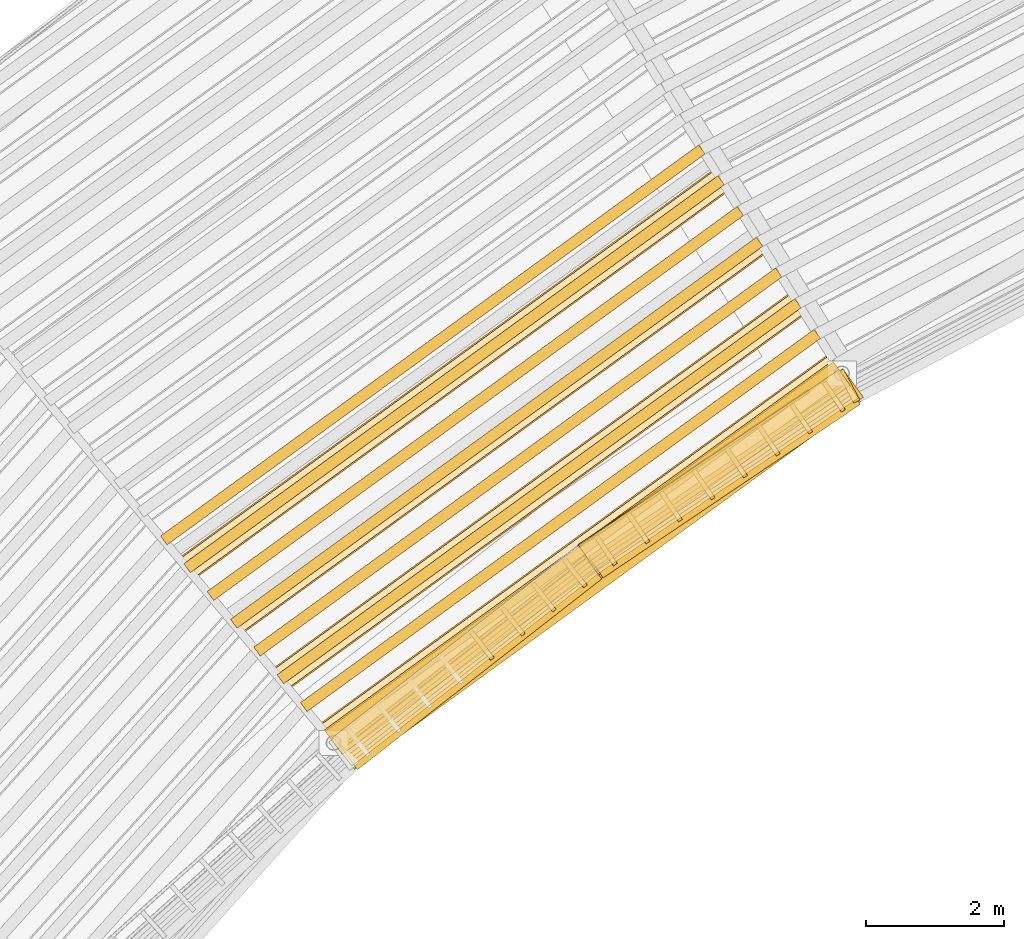
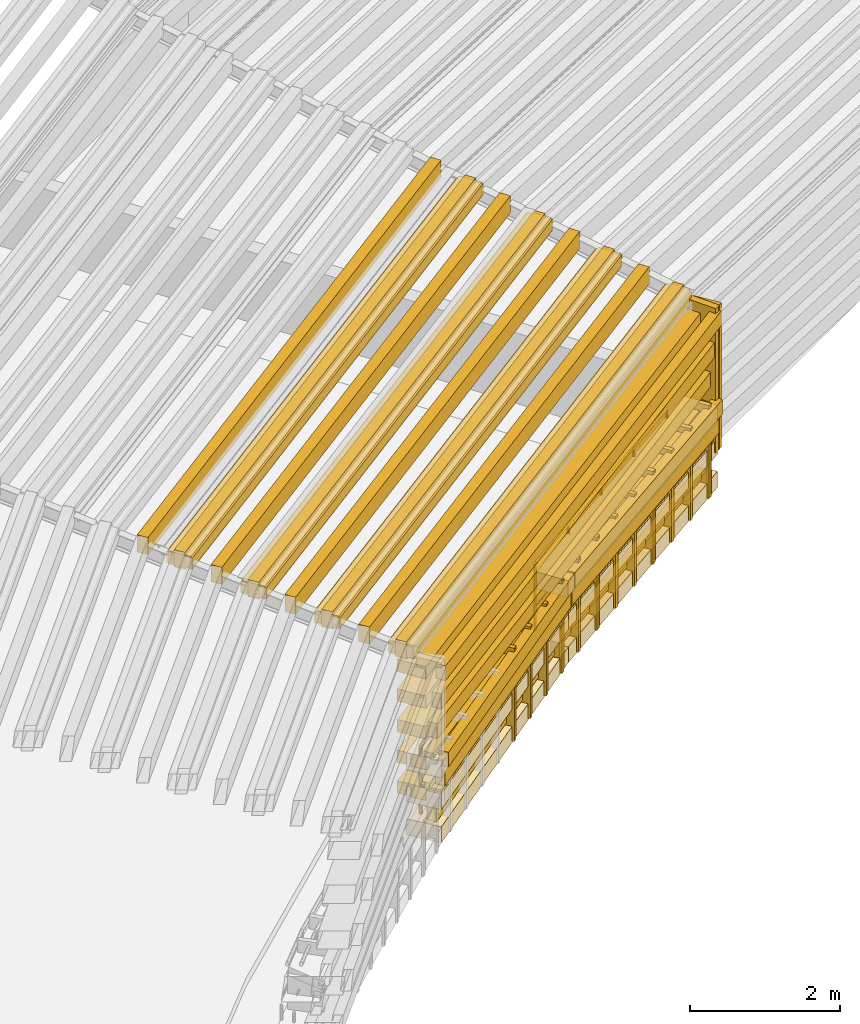
# One storey, part 65 of 74: 44 shading devices, 18 coverings, 2 railings.
"""IFC4 building model written with IfcOpenShell, lengths in metres."""

from ifc_helpers import new_model, si_unit, direction, frame, frame_2d, origin, origin_2d, place, context, subcontext, project, spatial, rectangle, circle, extrude, material, layer, layer_set, type_object, element, save


model = new_model("IFC4")

# Units and contexts
model_context = context("Model", 3, precision=1e-05, world=origin(), true_north=direction((0.0, 1.0)))
body_context = subcontext(model_context, "Body", "Model", "MODEL_VIEW")
ifc_project = project(units=[si_unit("LENGTHUNIT", "METRE"), si_unit("AREAUNIT", "SQUARE_METRE"), si_unit("VOLUMEUNIT", "CUBIC_METRE"), si_unit("PLANEANGLEUNIT", "RADIAN"), si_unit("MASSUNIT", "GRAM", prefix="KILO")], contexts=[model_context])

# Site, building, storey
site_placement = place(None, origin())
site = spatial("IfcSite", under=ifc_project, at=site_placement, CompositionType="ELEMENT")
building_placement = place(site_placement, origin())
building = spatial("IfcBuilding", under=site, at=building_placement, Name="Clarverna Civic Hall", CompositionType="ELEMENT")
storey_placement = place(building_placement, frame((0.0, 0.0, 13.199951171875)))
storey = spatial("IfcBuildingStorey", under=building, at=storey_placement, Name="L03", CompositionType="ELEMENT", Elevation=13.199951171875)

# Coverings
ifc_material_1 = material(Name="Thermally Modified Teak Wood Slat Fascia Cladding", Category="wood")
ifc_layer_1 = layer(ifc_material_1, 0.080078125)
ifc_layer_set_1 = layer_set([ifc_layer_1], Name="Thermally Modified Teak Wood Slat Fascia Cladding")
covering_type = type_object("IfcCoveringType", Name="CV-CL1", PredefinedType="CLADDING", material=ifc_layer_set_1)
for number, where, z_axis, x_axis, name in (
    (1, (117.550048828125, 63.1435546875, -0.3798828125), (0.0, 0.0, 1.0), (-0.82903395699, -0.559198263729, 0.0), "CV-CL1-147"),
    (2, (117.550048828125, 63.1435546875, 0.16015625), (0.0, 0.0, 1.0), (-0.82903395699, -0.559198263729, 0.0), "CV-CL1-148"),
):
    element("IfcCovering", number, at=place(storey_placement, frame(where, z_axis=z_axis, x_axis=x_axis)), inside=storey, type_object=covering_type, Name=name, PredefinedType="CLADDING", context=body_context, shape_type="SweptSolid", body=[
        extrude(rectangle(XDim=4.551025390625, YDim=0.5, at=frame_2d((2.275390625, 0.0))), origin(), (0.0, 0.0, 1.0), 0.260009765625),
    ])
covering_1_placement = place(storey_placement, frame((117.550048828125, 63.1435546875, 0.679931640625), z_axis=(0.0, 0.0, 1.0), x_axis=(-0.82903395699, -0.559198263729, 0.0)))
element("IfcCovering", 3, at=covering_1_placement, inside=storey, type_object=covering_type, Name="CV-CL1-149", PredefinedType="CLADDING", context=body_context, shape_type="SweptSolid", body=[
    extrude(rectangle(XDim=4.551025390625, YDim=0.5, at=frame_2d((2.275390625, 0.0))), origin(), (0.0, 0.0, 1.0), 0.280029296875),
])
covering_2_placement = place(storey_placement, frame((117.191162109375, 63.166748046875, -0.35986328125), z_axis=(0.0, 0.0, 1.0), x_axis=(0.5590870299, -0.829108975345, 0.0)))
element("IfcCovering", 4, at=covering_2_placement, inside=storey, type_object=covering_type, Name="CV-CL1-150", PredefinedType="CLADDING", context=body_context, shape_type="SweptSolid", body=[
    extrude(rectangle(XDim=0.5, YDim=0.070068359375, at=frame_2d((0.25, 0.0))), origin(), (0.0, 0.0, 1.0), 1.52001953125),
])
covering_3_placement = place(storey_placement, frame((115.7763671875, 62.21240234375, -0.35986328125), z_axis=(0.0, 0.0, 1.0), x_axis=(0.559313442615, -0.828956255125, 0.0)))
element("IfcCovering", 5, at=covering_3_placement, inside=storey, type_object=covering_type, Name="CV-CL1-151", PredefinedType="CLADDING", context=body_context, shape_type="SweptSolid", body=[
    extrude(rectangle(XDim=0.499755859375, YDim=0.070068359375, at=frame_2d((0.25, 0.0))), origin(), (0.0, 0.0, 1.0), 1.52001953125),
])
for number, where, z_axis, x_axis, name in (
    (6, (114.361572265625, 61.25830078125, -0.35986328125), (0.0, 0.0, 1.0), (0.5590870299, -0.829108975345, 0.0), "CV-CL1-152"),
    (7, (113.889892578125, 60.940185546875, -0.35986328125), (0.0, 0.0, 1.0), (0.5590870299, -0.829108975345, 0.0), "CV-CL1-153"),
):
    element("IfcCovering", number, at=place(storey_placement, frame(where, z_axis=z_axis, x_axis=x_axis)), inside=storey, type_object=covering_type, Name=name, PredefinedType="CLADDING", context=body_context, shape_type="SweptSolid", body=[
        extrude(rectangle(XDim=0.5, YDim=0.070068359375, at=frame_2d((0.25, 0.0))), origin(), (0.0, 0.0, 1.0), 1.52001953125),
    ])
for number, where, z_axis, x_axis, name in (
    (8, (113.787109375, 60.606201171875, -0.3798828125), (0.0, 0.0, 1.0), (-0.787992654087, -0.615684640953, 0.0), "CV-CL1-154"),
    (9, (113.787109375, 60.606201171875, 0.16015625), (0.0, 0.0, 1.0), (-0.787992654087, -0.615684640953, 0.0), "CV-CL1-155"),
):
    element("IfcCovering", number, at=place(storey_placement, frame(where, z_axis=z_axis, x_axis=x_axis)), inside=storey, type_object=covering_type, Name=name, PredefinedType="CLADDING", context=body_context, shape_type="SweptSolid", body=[
        extrude(rectangle(XDim=4.551025390625, YDim=0.5, at=frame_2d((2.275390625, 0.0))), origin(), (0.0, 0.0, 1.0), 0.260009765625),
    ])
covering_4_placement = place(storey_placement, frame((113.787109375, 60.606201171875, 0.679931640625), z_axis=(0.0, 0.0, 1.0), x_axis=(-0.787992654087, -0.615684640953, 0.0)))
element("IfcCovering", 10, at=covering_4_placement, inside=storey, type_object=covering_type, Name="CV-CL1-156", PredefinedType="CLADDING", context=body_context, shape_type="SweptSolid", body=[
    extrude(rectangle(XDim=4.551025390625, YDim=0.5, at=frame_2d((2.275390625, 0.0))), origin(), (0.0, 0.0, 1.0), 0.280029296875),
])
for number, where, z_axis, x_axis, name in (
    (11, (113.427490234375, 60.604248046875, -0.35986328125), (0.0, 0.0, 1.0), (0.615662990837, -0.788009569557, 0.0), "CV-CL1-157"),
    (12, (112.082763671875, 59.5537109375, -0.35986328125), (0.0, 0.0, 1.0), (0.615662990837, -0.788009569557, 0.0), "CV-CL1-158"),
):
    element("IfcCovering", number, at=place(storey_placement, frame(where, z_axis=z_axis, x_axis=x_axis)), inside=storey, type_object=covering_type, Name=name, PredefinedType="CLADDING", context=body_context, shape_type="SweptSolid", body=[
        extrude(rectangle(XDim=0.5, YDim=0.070068359375, at=frame_2d((0.25, 0.0))), origin(), (0.0, 0.0, 1.0), 1.52001953125),
    ])
covering_5_placement = place(storey_placement, frame((117.42578125, 63.3369140625, 0.25), z_axis=(0.0, 0.0, 1.0), x_axis=(0.469470107222, -0.882948366794, 0.0)))
element("IfcCovering", 13, at=covering_5_placement, inside=storey, type_object=covering_type, Name="CV-CL1-194", PredefinedType="CLADDING", context=body_context, shape_type="SweptSolid", body=[
    extrude(rectangle(XDim=0.51025390625, YDim=0.10009765625, at=frame_2d((0.255126953125, 0.0))), origin(), (0.0, 0.0, 1.0), 2.35009765625),
])
covering_6_placement = place(storey_placement, frame((117.419921875, 63.333251953125, 0.25), z_axis=(0.0, 0.0, 1.0), x_axis=(0.58783009415, -0.808984412959, 0.0)))
element("IfcCovering", 14, at=covering_6_placement, inside=storey, type_object=covering_type, Name="CV-CL1-195", PredefinedType="CLADDING", context=body_context, shape_type="SweptSolid", body=[
    extrude(rectangle(XDim=0.510009765625, YDim=0.10009765625, at=frame_2d((0.2548828125, 0.0))), origin(), (0.0, 0.0, 1.0), 2.35009765625),
])
covering_7_placement = place(storey_placement, frame((117.369873046875, 63.419921875, 2.510009765625), z_axis=(0.0, 0.0, 1.0), x_axis=(-0.809020850854, -0.587779944268, 0.0)))
element("IfcCovering", 15, at=covering_7_placement, inside=storey, type_object=covering_type, Name="CV-CL1-202", PredefinedType="CLADDING", context=body_context, shape_type="SweptSolid", body=[
    extrude(rectangle(XDim=9.1171875, YDim=0.340087890625, at=frame_2d((4.55859375, 0.0))), origin(), (0.0, 0.0, 1.0), 0.219970703125),
])
covering_8_placement = place(storey_placement, frame((116.8134765625, 64.310302734375, 2.7451171875), z_axis=(0.0, 0.0, 1.0), x_axis=(-0.809034570977, -0.587761059415, 0.0)))
element("IfcCovering", 16, at=covering_8_placement, inside=storey, type_object=covering_type, Name="CV-CL1-207", PredefinedType="CLADDING", context=body_context, shape_type="SweptSolid", body=[
    extrude(rectangle(XDim=9.263671875, YDim=0.340087890625, at=frame_2d((4.6318359375, 0.0))), origin(), (0.0, 0.0, 1.0), 0.219970703125),
])
covering_9_placement = place(storey_placement, frame((116.2568359375, 65.20068359375, 2.97998046875), z_axis=(0.0, 0.0, 1.0), x_axis=(-0.809017600252, -0.587784418373, 0.0)))
element("IfcCovering", 17, at=covering_9_placement, inside=storey, type_object=covering_type, Name="CV-CL1-212", PredefinedType="CLADDING", context=body_context, shape_type="SweptSolid", body=[
    extrude(rectangle(XDim=9.409912109375, YDim=0.340087890625, at=frame_2d((4.705078125, 0.0))), origin(), (0.0, 0.0, 1.0), 0.219970703125),
])
covering_10_placement = place(storey_placement, frame((115.700439453125, 66.09130859375, 3.215087890625), z_axis=(0.0, 0.0, 1.0), x_axis=(-0.809018801752, -0.587782764643, 0.0)))
element("IfcCovering", 18, at=covering_10_placement, inside=storey, type_object=covering_type, Name="CV-CL1-217", PredefinedType="CLADDING", context=body_context, shape_type="SweptSolid", body=[
    extrude(rectangle(XDim=9.556640625, YDim=0.340087890625, at=frame_2d((4.7783203125, 0.0))), origin(), (0.0, 0.0, 1.0), 0.219970703125),
])

# Railings
ifc_material_2 = material(Name="Anodised Bronze Architectural Balustrade")
railing_type_1 = type_object("IfcRailingType", Name="GR-01", PredefinedType="BALUSTRADE", material=ifc_material_2)
railing_1_placement = place(storey_placement, frame((116.960205078125, 63.03515625, 0.0)))
element("IfcRailing", 19, at=railing_1_placement, inside=storey, type_object=railing_type_1, Name="GR-01-029", PredefinedType="BALUSTRADE", context=body_context, shape_type="SweptSolid", body=[
    extrude(circle(Radius=0.02392578125, at=origin_2d()), frame((0.0, 0.0, 1.09619140625), z_axis=(-0.829043844071, -0.559183605454, 0.0), x_axis=(0.559183605454, -0.829043844071, 0.0)), (0.0, 0.0, 1.0), 4.00146484375),
    extrude(circle(Radius=0.011962890625, at=origin_2d()), frame((0.0, 0.0, 0.39208984375), z_axis=(-0.829043844071, -0.559183605454, 0.0), x_axis=(0.559183605454, -0.829043844071, 0.0)), (0.0, 0.0, 1.0), 4.00146484375),
    extrude(circle(Radius=0.011962890625, at=origin_2d()), frame((0.0, 0.0, 0.76171875), z_axis=(-0.829043844071, -0.559183605454, 0.0), x_axis=(0.559183605454, -0.829043844071, 0.0)), (0.0, 0.0, 1.0), 4.00146484375),
    extrude(circle(Radius=0.02099609375, at=origin_2d()), origin(), (0.0, 0.0, 1.0), 1.072021484375),
    extrude(circle(Radius=0.02099609375, at=origin_2d()), frame((-0.829345703125, -0.559326171875, 0.0)), (0.0, 0.0, 1.0), 1.072021484375),
    extrude(circle(Radius=0.02099609375, at=origin_2d()), frame((-1.65869140625, -1.11865234375, 0.0)), (0.0, 0.0, 1.0), 1.072021484375),
    extrude(circle(Radius=0.02099609375, at=origin_2d()), frame((-2.488037109375, -1.67822265625, 0.0)), (0.0, 0.0, 1.0), 1.072021484375),
    extrude(circle(Radius=0.02099609375, at=origin_2d()), frame((-3.3173828125, -2.237548828125, 0.0)), (0.0, 0.0, 1.0), 1.072021484375),
])
ifc_material_3 = material(Name="Thermally Modified Teak Wood Slat Fascia Rail", Category="wood")
railing_type_2 = type_object("IfcRailingType", Name="GR-03", PredefinedType="BALUSTRADE", material=ifc_material_3)
railing_2_placement = place(storey_placement, frame((113.7265625, 60.635009765625, 0.0)))
element("IfcRailing", 20, at=railing_2_placement, inside=storey, type_object=railing_type_2, Name="GR-03-013", PredefinedType="BALUSTRADE", context=body_context, shape_type="SweptSolid", body=[
    extrude(circle(Radius=0.02392578125, at=origin_2d()), frame((0.0, 0.0, 1.09619140625), z_axis=(-0.788003768434, -0.615670415834, 0.0), x_axis=(0.615670415834, -0.788003768434, 0.0)), (0.0, 0.0, 1.0), 4.490966796875),
    extrude(circle(Radius=0.011962890625, at=origin_2d()), frame((0.0, 0.0, 0.39208984375), z_axis=(-0.788003768434, -0.615670415834, 0.0), x_axis=(0.615670415834, -0.788003768434, 0.0)), (0.0, 0.0, 1.0), 4.490966796875),
    extrude(circle(Radius=0.011962890625, at=origin_2d()), frame((0.0, 0.0, 0.76171875), z_axis=(-0.788003768434, -0.615670415834, 0.0), x_axis=(0.615670415834, -0.788003768434, 0.0)), (0.0, 0.0, 1.0), 4.490966796875),
    extrude(circle(Radius=0.02099609375, at=origin_2d()), origin(), (0.0, 0.0, 1.0), 1.072021484375),
    extrude(circle(Radius=0.02099609375, at=origin_2d()), frame((-0.884765625, -0.691162109375, 0.0)), (0.0, 0.0, 1.0), 1.072021484375),
    extrude(circle(Radius=0.02099609375, at=origin_2d()), frame((-1.76953125, -1.38232421875, 0.0)), (0.0, 0.0, 1.0), 1.072021484375),
    extrude(circle(Radius=0.02099609375, at=origin_2d()), frame((-2.654052734375, -2.07373046875, 0.0)), (0.0, 0.0, 1.0), 1.072021484375),
    extrude(circle(Radius=0.02099609375, at=origin_2d()), frame((-3.538818359375, -2.764892578125, 0.0)), (0.0, 0.0, 1.0), 1.072021484375),
])

# Shading devices
ifc_material_4 = material(Name="Thermally Modified Teak Wood Slats", Category="wood")
ifc_layer_2 = layer(ifc_material_4, 0.06494140625)
ifc_layer_set_2 = layer_set([ifc_layer_2], Name="Thermally Modified Teak Wood Slats")
shading_device_type = type_object("IfcShadingDeviceType", Name="SD-WD1", PredefinedType="JALOUSIE", material=ifc_layer_set_2)
shading_device_1_placement = place(storey_placement, frame((117.547607421875, 63.093505859375, -0.35986328125), z_axis=(0.0, 0.0, 1.0), x_axis=(-0.829060993732, -0.55915817858, 0.0)))
element("IfcShadingDevice", 21, at=shading_device_1_placement, inside=storey, type_object=shading_device_type, Name="SD-WD1-175", PredefinedType="JALOUSIE", context=body_context, shape_type="SweptSolid", body=[
    extrude(rectangle(XDim=4.4912109375, YDim=0.139892578125, at=frame_2d((2.24560546875, 0.0))), origin(), (0.0, 0.0, 1.0), 0.239990234375),
])
for number, where, z_axis, x_axis, name in (
    (22, (117.5810546875, 63.043701171875, -0.079833984375), (0.0, 0.0, 1.0), (-0.82904399616, -0.559183379967, 0.0), "SD-WD1-176"),
    (23, (117.614501953125, 62.994140625, 0.219970703125), (0.0, 0.0, 1.0), (-0.82904399616, -0.559183379967, 0.0), "SD-WD1-177"),
):
    element("IfcShadingDevice", number, at=place(storey_placement, frame(where, z_axis=z_axis, x_axis=x_axis)), inside=storey, type_object=shading_device_type, Name=name, PredefinedType="JALOUSIE", context=body_context, shape_type="SweptSolid", body=[
        extrude(rectangle(XDim=4.490966796875, YDim=0.139892578125, at=frame_2d((2.24560546875, 0.0))), origin(), (0.0, 0.0, 1.0), 0.239990234375),
    ])
shading_device_2_placement = place(storey_placement, frame((117.648193359375, 62.9443359375, 0.5400390625), z_axis=(0.0, 0.0, 1.0), x_axis=(-0.829060993732, -0.55915817858, 0.0)))
element("IfcShadingDevice", 24, at=shading_device_2_placement, inside=storey, type_object=shading_device_type, Name="SD-WD1-178", PredefinedType="JALOUSIE", context=body_context, shape_type="SweptSolid", body=[
    extrude(rectangle(XDim=4.4912109375, YDim=0.139892578125, at=frame_2d((2.24560546875, 0.0))), origin(), (0.0, 0.0, 1.0), 0.239990234375),
])
shading_device_3_placement = place(storey_placement, frame((117.676025390625, 62.90283203125, 0.860107421875), z_axis=(0.0, 0.0, 1.0), x_axis=(-0.82904399616, -0.559183379967, 0.0)))
element("IfcShadingDevice", 25, at=shading_device_3_placement, inside=storey, type_object=shading_device_type, Name="SD-WD1-179", PredefinedType="JALOUSIE", context=body_context, shape_type="SweptSolid", body=[
    extrude(rectangle(XDim=4.490966796875, YDim=0.139892578125, at=frame_2d((2.24560546875, 0.0))), origin(), (0.0, 0.0, 1.0), 0.239990234375),
])
for number, where, z_axis, x_axis, name in (
    (26, (117.191162109375, 63.166748046875, -0.35986328125), (0.0, 0.0, 1.0), (0.5590870299, -0.829108975345, 0.0), "SD-WD1-180"),
    (27, (116.719482421875, 62.8486328125, -0.35986328125), (0.0, 0.0, 1.0), (0.5590870299, -0.829108975345, 0.0), "SD-WD1-181"),
    (28, (116.247802734375, 62.530517578125, -0.35986328125), (0.0, 0.0, 1.0), (0.559648975434, -0.828729765542, 0.0), "SD-WD1-182"),
):
    element("IfcShadingDevice", number, at=place(storey_placement, frame(where, z_axis=z_axis, x_axis=x_axis)), inside=storey, type_object=shading_device_type, Name=name, PredefinedType="JALOUSIE", context=body_context, shape_type="SweptSolid", body=[
        extrude(rectangle(XDim=0.5, YDim=0.06494140625, at=frame_2d((0.25, 0.0))), origin(), (0.0, 0.0, 1.0), 1.5),
    ])
for number, where, z_axis, x_axis, name in (
    (29, (115.7763671875, 62.21240234375, -0.35986328125), (0.0, 0.0, 1.0), (0.559313442615, -0.828956255125, 0.0), "SD-WD1-183"),
    (30, (115.3046875, 61.894287109375, -0.35986328125), (0.0, 0.0, 1.0), (0.559313442615, -0.828956255125, 0.0), "SD-WD1-184"),
):
    element("IfcShadingDevice", number, at=place(storey_placement, frame(where, z_axis=z_axis, x_axis=x_axis)), inside=storey, type_object=shading_device_type, Name=name, PredefinedType="JALOUSIE", context=body_context, shape_type="SweptSolid", body=[
        extrude(rectangle(XDim=0.499755859375, YDim=0.06494140625, at=frame_2d((0.25, 0.0))), origin(), (0.0, 0.0, 1.0), 1.5),
    ])
shading_device_4_placement = place(storey_placement, frame((114.8330078125, 61.576416015625, -0.35986328125), z_axis=(0.0, 0.0, 1.0), x_axis=(0.559422550598, -0.828882627326, 0.0)))
element("IfcShadingDevice", 31, at=shading_device_4_placement, inside=storey, type_object=shading_device_type, Name="SD-WD1-185", PredefinedType="JALOUSIE", context=body_context, shape_type="SweptSolid", body=[
    extrude(rectangle(XDim=0.500244140625, YDim=0.06494140625, at=frame_2d((0.25, 0.0))), origin(), (0.0, 0.0, 1.0), 1.5),
])
for number, where, z_axis, x_axis, name in (
    (32, (114.361572265625, 61.25830078125, -0.35986328125), (0.0, 0.0, 1.0), (0.5590870299, -0.829108975345, 0.0), "SD-WD1-186"),
    (33, (113.889892578125, 60.940185546875, -0.35986328125), (0.0, 0.0, 1.0), (0.5590870299, -0.829108975345, 0.0), "SD-WD1-187"),
):
    element("IfcShadingDevice", number, at=place(storey_placement, frame(where, z_axis=z_axis, x_axis=x_axis)), inside=storey, type_object=shading_device_type, Name=name, PredefinedType="JALOUSIE", context=body_context, shape_type="SweptSolid", body=[
        extrude(rectangle(XDim=0.5, YDim=0.06494140625, at=frame_2d((0.25, 0.0))), origin(), (0.0, 0.0, 1.0), 1.5),
    ])
for number, where, z_axis, x_axis, name in (
    (34, (113.7880859375, 60.55615234375, -0.35986328125), (0.0, 0.0, 1.0), (-0.788003768434, -0.615670415834, 0.0), "SD-WD1-188"),
    (35, (113.8251953125, 60.5087890625, -0.079833984375), (0.0, 0.0, 1.0), (-0.788024373725, -0.615644041972, 0.0), "SD-WD1-189"),
    (36, (113.862060546875, 60.46142578125, 0.219970703125), (0.0, 0.0, 1.0), (-0.788003768434, -0.615670415834, 0.0), "SD-WD1-190"),
    (37, (113.89892578125, 60.414306640625, 0.5400390625), (0.0, 0.0, 1.0), (-0.788003768434, -0.615670415834, 0.0), "SD-WD1-191"),
):
    element("IfcShadingDevice", number, at=place(storey_placement, frame(where, z_axis=z_axis, x_axis=x_axis)), inside=storey, type_object=shading_device_type, Name=name, PredefinedType="JALOUSIE", context=body_context, shape_type="SweptSolid", body=[
        extrude(rectangle(XDim=4.490966796875, YDim=0.139892578125, at=frame_2d((2.24560546875, 0.0))), origin(), (0.0, 0.0, 1.0), 0.239990234375),
    ])
shading_device_5_placement = place(storey_placement, frame((113.9296875, 60.374755859375, 0.860107421875), z_axis=(0.0, 0.0, 1.0), x_axis=(-0.788030143241, -0.61563665692, 0.0)))
element("IfcShadingDevice", 38, at=shading_device_5_placement, inside=storey, type_object=shading_device_type, Name="SD-WD1-192", PredefinedType="JALOUSIE", context=body_context, shape_type="SweptSolid", body=[
    extrude(rectangle(XDim=4.49072265625, YDim=0.139892578125, at=frame_2d((2.245361328125, 0.0))), origin(), (0.0, 0.0, 1.0), 0.239990234375),
])
for number, where, z_axis, x_axis, name in (
    (39, (113.427490234375, 60.604248046875, -0.35986328125), (0.0, 0.0, 1.0), (0.615662990837, -0.788009569557, 0.0), "SD-WD1-193"),
    (40, (112.9794921875, 60.254150390625, -0.35986328125), (0.0, 0.0, 1.0), (0.615359680814, -0.788246448281, 0.0), "SD-WD1-194"),
):
    element("IfcShadingDevice", number, at=place(storey_placement, frame(where, z_axis=z_axis, x_axis=x_axis)), inside=storey, type_object=shading_device_type, Name=name, PredefinedType="JALOUSIE", context=body_context, shape_type="SweptSolid", body=[
        extrude(rectangle(XDim=0.5, YDim=0.06494140625, at=frame_2d((0.25, 0.0))), origin(), (0.0, 0.0, 1.0), 1.5),
    ])
shading_device_6_placement = place(storey_placement, frame((112.531005859375, 59.90380859375, -0.35986328125), z_axis=(0.0, 0.0, 1.0), x_axis=(0.615899920034, -0.787824402073, 0.0)))
element("IfcShadingDevice", 41, at=shading_device_6_placement, inside=storey, type_object=shading_device_type, Name="SD-WD1-195", PredefinedType="JALOUSIE", context=body_context, shape_type="SweptSolid", body=[
    extrude(rectangle(XDim=0.499755859375, YDim=0.06494140625, at=frame_2d((0.25, 0.0))), origin(), (0.0, 0.0, 1.0), 1.5),
])
shading_device_7_placement = place(storey_placement, frame((112.082763671875, 59.5537109375, -0.35986328125), z_axis=(0.0, 0.0, 1.0), x_axis=(0.615662990837, -0.788009569557, 0.0)))
element("IfcShadingDevice", 42, at=shading_device_7_placement, inside=storey, type_object=shading_device_type, Name="SD-WD1-196", PredefinedType="JALOUSIE", context=body_context, shape_type="SweptSolid", body=[
    extrude(rectangle(XDim=0.5, YDim=0.06494140625, at=frame_2d((0.25, 0.0))), origin(), (0.0, 0.0, 1.0), 1.5),
])
shading_device_8_placement = place(storey_placement, frame((117.538818359375, 63.13525390625, 0.300048828125), z_axis=(0.0, 0.0, 1.0), x_axis=(-0.809023933081, -0.587775701865, 0.0)))
element("IfcShadingDevice", 43, at=shading_device_8_placement, inside=storey, type_object=shading_device_type, Name="SD-WD1-283", PredefinedType="JALOUSIE", context=body_context, shape_type="SweptSolid", body=[
    extrude(rectangle(XDim=9.05615234375, YDim=0.139892578125, at=frame_2d((4.528076171875, 0.0))), origin(), (0.0, 0.0, 1.0), 0.239990234375),
])
shading_device_9_placement = place(storey_placement, frame((117.44921875, 63.292724609375, 0.260009765625), z_axis=(0.0, 0.0, 1.0), x_axis=(-0.809019182203, -0.587782240993, 0.0)))
element("IfcShadingDevice", 44, at=shading_device_9_placement, inside=storey, type_object=shading_device_type, Name="SD-WD1-284", PredefinedType="JALOUSIE", context=body_context, shape_type="SweptSolid", body=[
    extrude(rectangle(XDim=9.096435546875, YDim=0.419921875, at=frame_2d((4.54833984375, 0.0))), origin(), (0.0, 0.0, 1.0), 0.199951171875),
])
shading_device_10_placement = place(storey_placement, frame((117.57421875, 63.0869140625, 0.800048828125), z_axis=(0.0, 0.0, 1.0), x_axis=(-0.809020427401, -0.587780527108, 0.0)))
element("IfcShadingDevice", 45, at=shading_device_10_placement, inside=storey, type_object=shading_device_type, Name="SD-WD1-285", PredefinedType="JALOUSIE", context=body_context, shape_type="SweptSolid", body=[
    extrude(rectangle(XDim=9.056396484375, YDim=0.139892578125, at=frame_2d((4.5283203125, 0.0))), origin(), (0.0, 0.0, 1.0), 0.239990234375),
])
shading_device_11_placement = place(storey_placement, frame((117.44921875, 63.292724609375, 0.760009765625), z_axis=(0.0, 0.0, 1.0), x_axis=(-0.809019182203, -0.587782240993, 0.0)))
element("IfcShadingDevice", 46, at=shading_device_11_placement, inside=storey, type_object=shading_device_type, Name="SD-WD1-286", PredefinedType="JALOUSIE", context=body_context, shape_type="SweptSolid", body=[
    extrude(rectangle(XDim=9.096435546875, YDim=0.419921875, at=frame_2d((4.54833984375, 0.0))), origin(), (0.0, 0.0, 1.0), 0.199951171875),
])
shading_device_12_placement = place(storey_placement, frame((117.609619140625, 63.0380859375, 1.300048828125), z_axis=(0.0, 0.0, 1.0), x_axis=(-0.809033246399, -0.587762882651, 0.0)))
element("IfcShadingDevice", 47, at=shading_device_12_placement, inside=storey, type_object=shading_device_type, Name="SD-WD1-287", PredefinedType="JALOUSIE", context=body_context, shape_type="SweptSolid", body=[
    extrude(rectangle(XDim=9.056396484375, YDim=0.139892578125, at=frame_2d((4.5283203125, 0.0))), origin(), (0.0, 0.0, 1.0), 0.239990234375),
])
shading_device_13_placement = place(storey_placement, frame((117.44921875, 63.292724609375, 1.260009765625), z_axis=(0.0, 0.0, 1.0), x_axis=(-0.809019182203, -0.587782240993, 0.0)))
element("IfcShadingDevice", 48, at=shading_device_13_placement, inside=storey, type_object=shading_device_type, Name="SD-WD1-288", PredefinedType="JALOUSIE", context=body_context, shape_type="SweptSolid", body=[
    extrude(rectangle(XDim=9.096435546875, YDim=0.419921875, at=frame_2d((4.54833984375, 0.0))), origin(), (0.0, 0.0, 1.0), 0.199951171875),
])
shading_device_14_placement = place(storey_placement, frame((117.644775390625, 62.98974609375, 1.800048828125), z_axis=(0.0, 0.0, 1.0), x_axis=(-0.809011113672, -0.587793346301, 0.0)))
element("IfcShadingDevice", 49, at=shading_device_14_placement, inside=storey, type_object=shading_device_type, Name="SD-WD1-289", PredefinedType="JALOUSIE", context=body_context, shape_type="SweptSolid", body=[
    extrude(rectangle(XDim=9.056396484375, YDim=0.139892578125, at=frame_2d((4.5283203125, 0.0))), origin(), (0.0, 0.0, 1.0), 0.239990234375),
])
shading_device_15_placement = place(storey_placement, frame((117.44921875, 63.292724609375, 1.760009765625), z_axis=(0.0, 0.0, 1.0), x_axis=(-0.809019182203, -0.587782240993, 0.0)))
element("IfcShadingDevice", 50, at=shading_device_15_placement, inside=storey, type_object=shading_device_type, Name="SD-WD1-290", PredefinedType="JALOUSIE", context=body_context, shape_type="SweptSolid", body=[
    extrude(rectangle(XDim=9.096435546875, YDim=0.419921875, at=frame_2d((4.54833984375, 0.0))), origin(), (0.0, 0.0, 1.0), 0.199951171875),
])
shading_device_16_placement = place(storey_placement, frame((117.679931640625, 62.941162109375, 2.280029296875), z_axis=(0.0, 0.0, 1.0), x_axis=(-0.809023933081, -0.587775701865, 0.0)))
element("IfcShadingDevice", 51, at=shading_device_16_placement, inside=storey, type_object=shading_device_type, Name="SD-WD1-291", PredefinedType="JALOUSIE", context=body_context, shape_type="SweptSolid", body=[
    extrude(rectangle(XDim=9.05615234375, YDim=0.139892578125, at=frame_2d((4.528076171875, 0.0))), origin(), (0.0, 0.0, 1.0), 0.239990234375),
])
shading_device_17_placement = place(storey_placement, frame((117.44921875, 63.292724609375, 2.239990234375), z_axis=(0.0, 0.0, 1.0), x_axis=(-0.809019182203, -0.587782240993, 0.0)))
element("IfcShadingDevice", 52, at=shading_device_17_placement, inside=storey, type_object=shading_device_type, Name="SD-WD1-292", PredefinedType="JALOUSIE", context=body_context, shape_type="SweptSolid", body=[
    extrude(rectangle(XDim=9.096435546875, YDim=0.419921875, at=frame_2d((4.54833984375, 0.0))), origin(), (0.0, 0.0, 1.0), 0.199951171875),
])
shading_device_18_placement = place(storey_placement, frame((117.369873046875, 63.419921875, 2.489990234375), z_axis=(0.0, 0.0, 1.0), x_axis=(-0.809020850854, -0.587779944268, 0.0)))
element("IfcShadingDevice", 53, at=shading_device_18_placement, inside=storey, type_object=shading_device_type, Name="SD-WD1-309", PredefinedType="JALOUSIE", context=body_context, shape_type="SweptSolid", body=[
    extrude(rectangle(XDim=9.1171875, YDim=0.159912109375, at=frame_2d((4.55859375, 0.0))), origin(), (0.0, 0.0, 1.0), 0.280029296875),
])
shading_device_19_placement = place(storey_placement, frame((117.369873046875, 63.419921875, 2.530029296875), z_axis=(0.0, 0.0, 1.0), x_axis=(-0.809020850854, -0.587779944268, 0.0)))
element("IfcShadingDevice", 54, at=shading_device_19_placement, inside=storey, type_object=shading_device_type, Name="SD-WD1-310", PredefinedType="JALOUSIE", context=body_context, shape_type="SweptSolid", body=[
    extrude(rectangle(XDim=9.1171875, YDim=0.3798828125, at=frame_2d((4.55859375, 0.0))), origin(), (0.0, 0.0, 1.0), 0.179931640625),
])
shading_device_20_placement = place(storey_placement, frame((117.091552734375, 63.865234375, 2.607666015625), z_axis=(0.0, 0.0, 1.0), x_axis=(-0.809005955438, -0.587800445786, 0.0)))
element("IfcShadingDevice", 55, at=shading_device_20_placement, inside=storey, type_object=shading_device_type, Name="SD-WD1-316", PredefinedType="JALOUSIE", context=body_context, shape_type="SweptSolid", body=[
    extrude(rectangle(XDim=9.1904296875, YDim=0.159912109375, at=frame_2d((4.59521484375, 0.0))), origin(), (0.0, 0.0, 1.0), 0.27978515625),
])
shading_device_21_placement = place(storey_placement, frame((116.8134765625, 64.310302734375, 2.72509765625), z_axis=(0.0, 0.0, 1.0), x_axis=(-0.809034570977, -0.587761059415, 0.0)))
element("IfcShadingDevice", 56, at=shading_device_21_placement, inside=storey, type_object=shading_device_type, Name="SD-WD1-324", PredefinedType="JALOUSIE", context=body_context, shape_type="SweptSolid", body=[
    extrude(rectangle(XDim=9.263671875, YDim=0.159912109375, at=frame_2d((4.6318359375, 0.0))), origin(), (0.0, 0.0, 1.0), 0.280029296875),
])
shading_device_22_placement = place(storey_placement, frame((116.8134765625, 64.310302734375, 2.76513671875), z_axis=(0.0, 0.0, 1.0), x_axis=(-0.809034570977, -0.587761059415, 0.0)))
element("IfcShadingDevice", 57, at=shading_device_22_placement, inside=storey, type_object=shading_device_type, Name="SD-WD1-325", PredefinedType="JALOUSIE", context=body_context, shape_type="SweptSolid", body=[
    extrude(rectangle(XDim=9.263671875, YDim=0.3798828125, at=frame_2d((4.6318359375, 0.0))), origin(), (0.0, 0.0, 1.0), 0.179931640625),
])
shading_device_23_placement = place(storey_placement, frame((116.53515625, 64.755615234375, 2.842529296875), z_axis=(0.0, 0.0, 1.0), x_axis=(-0.809019802196, -0.587781387639, 0.0)))
element("IfcShadingDevice", 58, at=shading_device_23_placement, inside=storey, type_object=shading_device_type, Name="SD-WD1-331", PredefinedType="JALOUSIE", context=body_context, shape_type="SweptSolid", body=[
    extrude(rectangle(XDim=9.3369140625, YDim=0.159912109375, at=frame_2d((4.66845703125, 0.0))), origin(), (0.0, 0.0, 1.0), 0.280029296875),
])
shading_device_24_placement = place(storey_placement, frame((116.2568359375, 65.20068359375, 2.9599609375), z_axis=(0.0, 0.0, 1.0), x_axis=(-0.809017600252, -0.587784418373, 0.0)))
element("IfcShadingDevice", 59, at=shading_device_24_placement, inside=storey, type_object=shading_device_type, Name="SD-WD1-339", PredefinedType="JALOUSIE", context=body_context, shape_type="SweptSolid", body=[
    extrude(rectangle(XDim=9.409912109375, YDim=0.159912109375, at=frame_2d((4.705078125, 0.0))), origin(), (0.0, 0.0, 1.0), 0.280029296875),
])
shading_device_25_placement = place(storey_placement, frame((116.2568359375, 65.20068359375, 3.0), z_axis=(0.0, 0.0, 1.0), x_axis=(-0.809017600252, -0.587784418373, 0.0)))
element("IfcShadingDevice", 60, at=shading_device_25_placement, inside=storey, type_object=shading_device_type, Name="SD-WD1-340", PredefinedType="JALOUSIE", context=body_context, shape_type="SweptSolid", body=[
    extrude(rectangle(XDim=9.409912109375, YDim=0.3798828125, at=frame_2d((4.705078125, 0.0))), origin(), (0.0, 0.0, 1.0), 0.179931640625),
])
shading_device_26_placement = place(storey_placement, frame((115.978759765625, 65.64599609375, 3.07763671875), z_axis=(0.0, 0.0, 1.0), x_axis=(-0.8090332207, -0.587762918023, 0.0)))
element("IfcShadingDevice", 61, at=shading_device_26_placement, inside=storey, type_object=shading_device_type, Name="SD-WD1-346", PredefinedType="JALOUSIE", context=body_context, shape_type="SweptSolid", body=[
    extrude(rectangle(XDim=9.4833984375, YDim=0.159912109375, at=frame_2d((4.74169921875, 0.0))), origin(), (0.0, 0.0, 1.0), 0.280029296875),
])
shading_device_27_placement = place(storey_placement, frame((115.700439453125, 66.09130859375, 3.195068359375), z_axis=(0.0, 0.0, 1.0), x_axis=(-0.809018801752, -0.587782764643, 0.0)))
element("IfcShadingDevice", 62, at=shading_device_27_placement, inside=storey, type_object=shading_device_type, Name="SD-WD1-354", PredefinedType="JALOUSIE", context=body_context, shape_type="SweptSolid", body=[
    extrude(rectangle(XDim=9.556640625, YDim=0.159912109375, at=frame_2d((4.7783203125, 0.0))), origin(), (0.0, 0.0, 1.0), 0.280029296875),
])
shading_device_28_placement = place(storey_placement, frame((115.700439453125, 66.09130859375, 3.235107421875), z_axis=(0.0, 0.0, 1.0), x_axis=(-0.809018801752, -0.587782764643, 0.0)))
element("IfcShadingDevice", 63, at=shading_device_28_placement, inside=storey, type_object=shading_device_type, Name="SD-WD1-355", PredefinedType="JALOUSIE", context=body_context, shape_type="SweptSolid", body=[
    extrude(rectangle(XDim=9.556640625, YDim=0.3798828125, at=frame_2d((4.7783203125, 0.0))), origin(), (0.0, 0.0, 1.0), 0.179931640625),
])
shading_device_29_placement = place(storey_placement, frame((115.42236328125, 66.53662109375, 3.3125), z_axis=(0.0, 0.0, 1.0), x_axis=(-0.809013360913, -0.587790253291, 0.0)))
element("IfcShadingDevice", 64, at=shading_device_29_placement, inside=storey, type_object=shading_device_type, Name="SD-WD1-361", PredefinedType="JALOUSIE", context=body_context, shape_type="SweptSolid", body=[
    extrude(rectangle(XDim=9.6298828125, YDim=0.159912109375, at=frame_2d((4.81494140625, 0.0))), origin(), (0.0, 0.0, 1.0), 0.280029296875),
])

save(model, "model.ifc")
